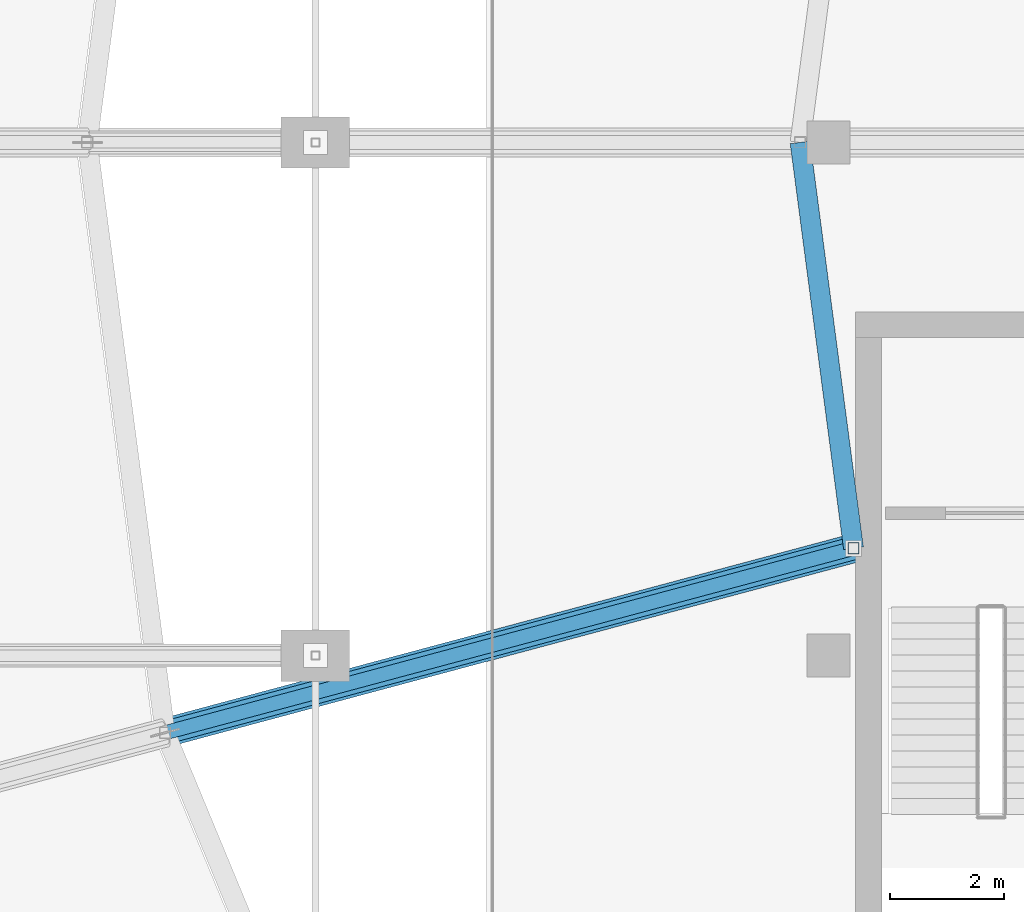
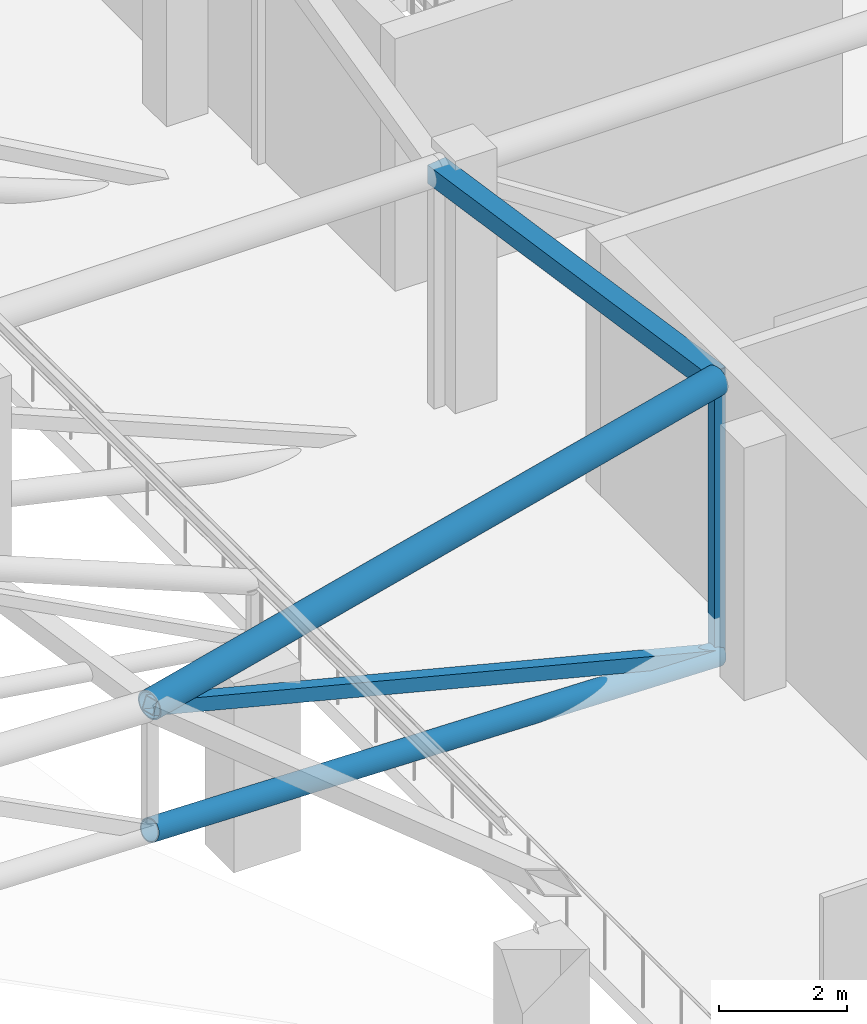
# One storey, part 49 of 167: 5 members.
"""IFC4 building model written with IfcOpenShell, lengths in metres."""

from ifc_helpers import new_model, si_unit, direction, frame, origin, origin_2d, place, context, subcontext, project, spatial, hollow_rectangle, hollow_circle, extrude, material, material_profile, profile_set, type_object, element, save


model = new_model("IFC4")

# Units and contexts
model_context = context("Model", 3, precision=1e-05, world=origin(), true_north=direction((0.0, 1.0)))
body_context = subcontext(model_context, "Body", "Model", "MODEL_VIEW")
ifc_project = project(units=[si_unit("LENGTHUNIT", "METRE"), si_unit("AREAUNIT", "SQUARE_METRE"), si_unit("VOLUMEUNIT", "CUBIC_METRE"), si_unit("PLANEANGLEUNIT", "RADIAN"), si_unit("MASSUNIT", "GRAM", prefix="KILO")], contexts=[model_context])

# Site, building, storey
site_placement = place(None, origin())
site = spatial("IfcSite", under=ifc_project, at=site_placement, CompositionType="ELEMENT")
building_placement = place(site_placement, origin())
building = spatial("IfcBuilding", under=site, at=building_placement, Name="Dornveld Trade and Exhibition Forum", CompositionType="ELEMENT")
storey_placement = place(building_placement, frame((0.0, 0.0, 16.800048828125)))
storey = spatial("IfcBuildingStorey", under=building, at=storey_placement, Name="L03", CompositionType="ELEMENT", Elevation=16.800048828125)

# Members
ifc_material_1 = material(Name="Steel S355J2", Category="steel")
ifc_material_profile_1 = material_profile(ifc_material_1, hollow_circle(Radius=0.203125, WallThickness=0.02001953125, at=origin_2d()), Name="CHS 406.4x20")
ifc_profile_set_1 = profile_set([ifc_material_profile_1], Name="Steel S355J2")
member_type_1 = type_object("IfcMemberType", Name="MEM-DISC-BC", PredefinedType="CHORD", material=ifc_profile_set_1)
member_1_placement = place(storey_placement, frame((90.43701171875, 73.882568359375, -0.76220703125), z_axis=(-0.941952172258, -0.25240623166, 0.221398282283), x_axis=(0.258829481187, -0.965923029888, 0.0)))
element("IfcMember", 1, at=member_1_placement, inside=storey, type_object=member_type_1, Name="Roof disc radial R14 conical bottom chord 2", PredefinedType="CHORD", context=body_context, shape_type="SweptSolid", body=[
    extrude(hollow_circle(Radius=0.203125, WallThickness=0.02001953125, at=origin_2d()), origin(), (0.0, 0.0, 1.0), 12.818115234375),
])
ifc_material_2 = material(Name="Steel S355J2", Category="steel")
ifc_material_profile_2 = material_profile(ifc_material_2, hollow_rectangle(XDim=0.35009765625, YDim=0.35009765625, WallThickness=0.01611328125, at=origin_2d()), Name="SHS 350x350x16")
ifc_profile_set_2 = profile_set([ifc_material_profile_2], Name="Steel S355J2")
member_type_2 = type_object("IfcMemberType", Name="MEM-DISC-RING", PredefinedType="CHORD", material=ifc_profile_set_2)
member_2_placement = place(storey_placement, frame((89.5, 81.0, 4.449951171875), z_axis=(0.130524010575, -0.99144514859, 0.0), x_axis=(0.99144514859, 0.130524010575, 0.0)))
element("IfcMember", 2, at=member_2_placement, inside=storey, type_object=member_type_2, Name="Roof disc ring 2 chord 13", PredefinedType="CHORD", context=body_context, shape_type="SweptSolid", body=[
    extrude(hollow_rectangle(XDim=0.35009765625, YDim=0.35009765625, WallThickness=0.01611328125, at=origin_2d()), origin(), (0.0, 0.0, 1.0), 7.178955078125),
])
ifc_material_3 = material(Name="Steel S355J2", Category="steel")
ifc_material_profile_3 = material_profile(ifc_material_3, hollow_rectangle(XDim=0.199951171875, YDim=0.199951171875, WallThickness=0.010009765625, at=origin_2d()), Name="SHS 200x200x10")
ifc_profile_set_3 = profile_set([ifc_material_profile_3], Name="Steel S355J2")
member_type_3 = type_object("IfcMemberType", Name="MEM-DISC-STR", PredefinedType="STRUT", material=ifc_profile_set_3)
member_3_placement = place(storey_placement, frame((90.43701171875, 73.882568359375, -0.76220703125), z_axis=(0.0, 0.0, 1.0), x_axis=(1.0, 0.0, 0.0)))
element("IfcMember", 3, at=member_3_placement, inside=storey, type_object=member_type_3, Name="Roof disc radial R14 strut 2", PredefinedType="STRUT", context=body_context, shape_type="SweptSolid", body=[
    extrude(hollow_rectangle(XDim=0.199951171875, YDim=0.199951171875, WallThickness=0.010009765625, at=origin_2d()), origin(), (0.0, 0.0, 1.0), 5.212158203125),
])
ifc_material_4 = material(Name="Steel S355J2", Category="steel")
ifc_material_profile_4 = material_profile(ifc_material_4, hollow_circle(Radius=0.25390625, WallThickness=0.02490234375, at=origin_2d()), Name="CHS 508x25")
ifc_profile_set_4 = profile_set([ifc_material_profile_4], Name="Steel S355J2")
member_type_4 = type_object("IfcMemberType", Name="MEM-DISC-TC", PredefinedType="CHORD", material=ifc_profile_set_4)
member_4_placement = place(storey_placement, frame((90.43701171875, 73.882568359375, 4.449951171875), z_axis=(-0.965923029888, -0.258829481187, 0.0), x_axis=(0.258829481187, -0.965923029888, 0.0)))
element("IfcMember", 4, at=member_4_placement, inside=storey, type_object=member_type_4, Name="Roof disc radial R14 top chord 2", PredefinedType="CHORD", context=body_context, shape_type="SweptSolid", body=[
    extrude(hollow_circle(Radius=0.25390625, WallThickness=0.02490234375, at=origin_2d()), origin(), (0.0, 0.0, 1.0), 12.5),
])
ifc_material_5 = material(Name="Steel S355J2", Category="steel")
ifc_material_profile_5 = material_profile(ifc_material_5, hollow_rectangle(XDim=0.25, YDim=0.25, WallThickness=0.012451171875, at=origin_2d()), Name="SHS 250x250x12.5")
ifc_profile_set_5 = profile_set([ifc_material_profile_5], Name="Steel S355J2")
member_type_5 = type_object("IfcMemberType", Name="MEM-DISC-WEB", PredefinedType="BRACE", material=ifc_profile_set_5)
member_5_placement = place(storey_placement, frame((90.43701171875, 73.882568359375, -0.76220703125), z_axis=(-0.891523685101, -0.23889337529, 0.384857732347), x_axis=(0.258829481187, -0.965923029888, 0.0)))
element("IfcMember", 5, at=member_5_placement, inside=storey, type_object=member_type_5, Name="Roof disc radial R14 web 2", PredefinedType="BRACE", context=body_context, shape_type="SweptSolid", body=[
    extrude(hollow_rectangle(XDim=0.25, YDim=0.25, WallThickness=0.012451171875, at=origin_2d()), origin(), (0.0, 0.0, 1.0), 13.54296875),
])

save(model, "model.ifc")
